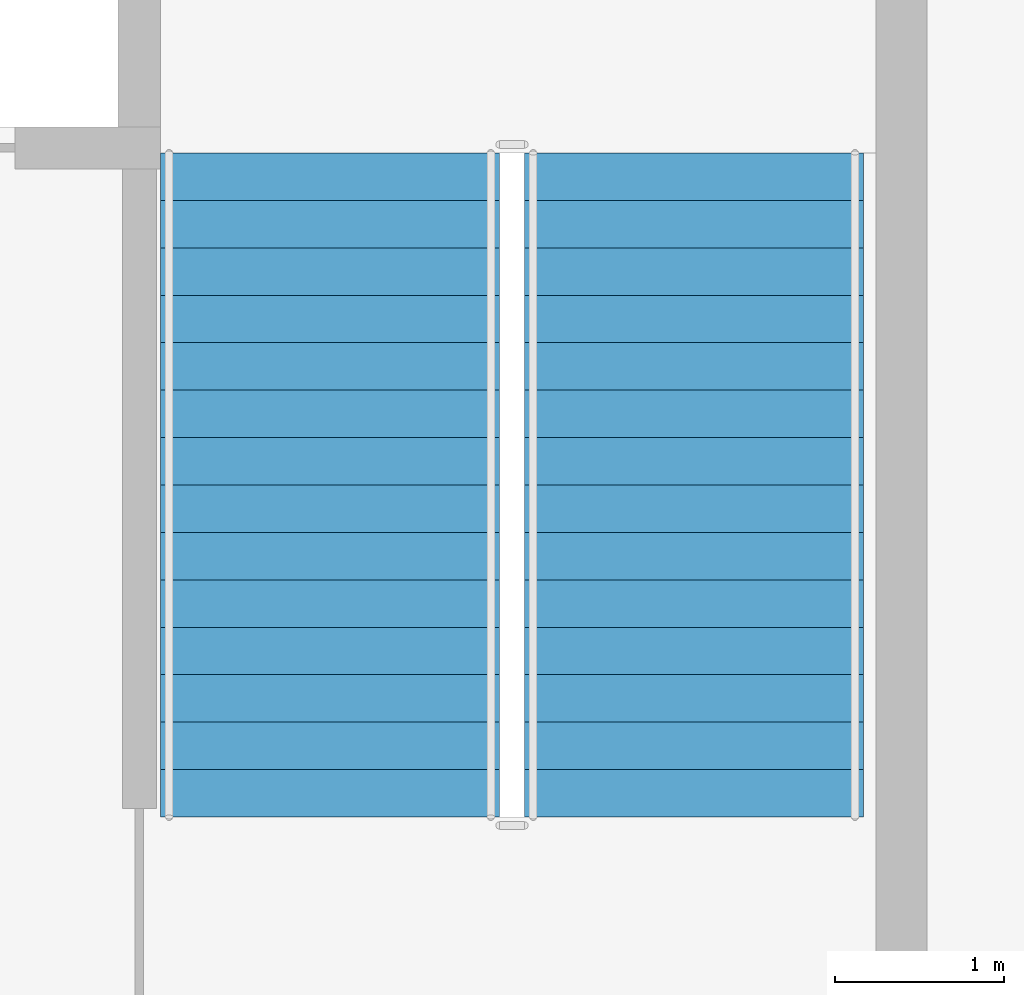
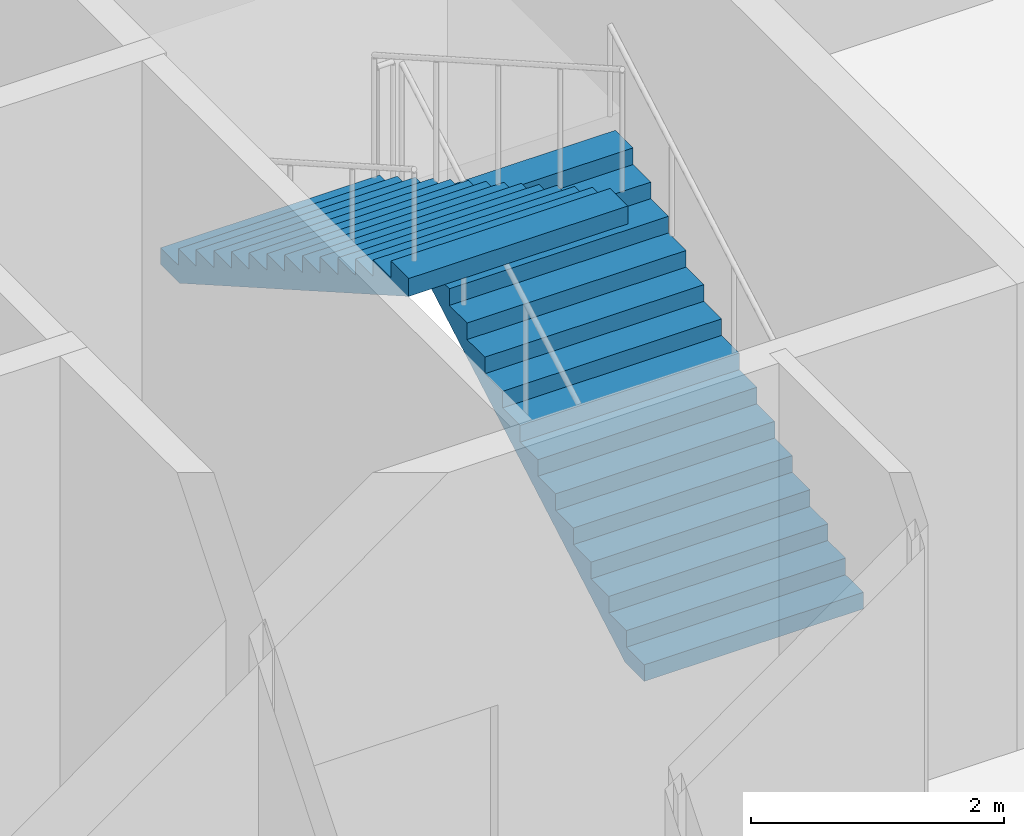
# One storey, part 6 of 10: 2 stair flights, 1 element without a shape of its own.
"""IFC4 building model written with IfcOpenShell, lengths in metres."""

from ifc_helpers import new_model, si_unit, direction, frame, origin, place, context, subcontext, project, spatial, polygons, material, type_object, element, aggregate, save


model = new_model("IFC4")

# Units and contexts
model_context = context("Model", 3, precision=1e-05, world=origin(), true_north=direction((0.0, 1.0)))
body_context = subcontext(model_context, "Body", "Model", "MODEL_VIEW")
ifc_project = project(units=[si_unit("LENGTHUNIT", "METRE"), si_unit("AREAUNIT", "SQUARE_METRE"), si_unit("VOLUMEUNIT", "CUBIC_METRE"), si_unit("PLANEANGLEUNIT", "RADIAN"), si_unit("MASSUNIT", "GRAM", prefix="KILO")], contexts=[model_context])

# Site, building, storey
site_placement = place(None, origin())
site = spatial("IfcSite", under=ifc_project, at=site_placement, CompositionType="ELEMENT")
building_placement = place(site_placement, origin())
building = spatial("IfcBuilding", under=site, at=building_placement, Name="Caravel Reach Hotel and Residences", CompositionType="ELEMENT")
storey_placement = place(building_placement, frame((0.0, 0.0, 96.0)))
storey = spatial("IfcBuildingStorey", under=building, at=storey_placement, Name="L23", CompositionType="ELEMENT", Elevation=96.0)

# Stair, stair flights
ifc_material_1 = material(Name="Concrete C40", Category="concrete")
stair_type = type_object("IfcStairType", Name="Core stair", PredefinedType="HALF_TURN_STAIR", material=ifc_material_1)
stair_placement = place(storey_placement, origin())
stair = element("IfcStair", 1, at=stair_placement, inside=storey, type_object=stair_type, Name="L23 Exit stair B", PredefinedType="HALF_TURN_STAIR")
ifc_material_2 = material(Name="Concrete C40", Category="concrete")
stair_flight_type = type_object("IfcStairFlightType", Name="Core stair flight", PredefinedType="STRAIGHT", material=ifc_material_2)
stair_flight_1_placement = place(storey_placement, frame((43.77490234375, 24.64990234375, 0.0), z_axis=(0.0, 0.0, 1.0), x_axis=(0.0, 1.0, 0.0)))
stair_flight_1 = element("IfcStairFlight", 2, at=stair_flight_1_placement, type_object=stair_flight_type, Name="ST-B flight 1", NumberOfRisers=15, NumberOfTreads=14, PredefinedType="STRAIGHT", RiserHeight=0.16, TreadLength=0.28, context=body_context, shape_type="Tessellation", body=[
    polygons([(0.30213783309663755, 1.0, 0.0), (0.30213783309663755, 0.6666666666666667, 0.0), (0.30213783309663755, 0.33333333333333337, 0.0), (0.30213783309663755, 0.0, 0.0), (0.30213783309663755, -0.33333333333333326, 0.0), (0.30213783309663755, -0.6666666666666667, 0.0), (0.30213783309663755, -1.0, 0.0), (3.9210000000000003, 1.0, 2.0673498096590643), (3.9210000000000003, 0.6666666666666667, 2.0673498096590643), (3.9210000000000003, 0.33333333333333337, 2.0673498096590643), (3.9210000000000003, 0.0, 2.0673498096590643), (3.9210000000000003, -0.33333333333333326, 2.0673498096590643), (3.9210000000000003, -0.6666666666666667, 2.0673498096590643), (3.9210000000000003, -1.0, 2.0673498096590643), (3.9210000000000003, 1.0, 2.24), (3.9210000000000003, 0.6666666666666667, 2.24), (3.9210000000000003, 0.33333333333333337, 2.24), (3.9210000000000003, 0.0, 2.24), (3.9210000000000003, -0.33333333333333326, 2.24), (3.9210000000000003, -0.6666666666666667, 2.24), (3.9210000000000003, -1.0, 2.24), (3.6400000000000006, 1.0, 2.24), (3.6400000000000006, 0.6666666666666667, 2.24), (3.6400000000000006, 0.33333333333333337, 2.24), (3.6400000000000006, 0.0, 2.24), (3.6400000000000006, -0.33333333333333326, 2.24), (3.6400000000000006, -0.6666666666666667, 2.24), (3.6400000000000006, -1.0, 2.24), (3.6400000000000006, 1.0, 2.08), (3.6400000000000006, 0.6666666666666667, 2.08), (3.6400000000000006, 0.33333333333333337, 2.08), (3.6400000000000006, 0.0, 2.08), (3.6400000000000006, -0.33333333333333326, 2.08), (3.6400000000000006, -0.6666666666666667, 2.08), (3.6400000000000006, -1.0, 2.08), (3.3600000000000003, 1.0, 2.08), (3.3600000000000003, 0.6666666666666667, 2.08), (3.3600000000000003, 0.33333333333333337, 2.08), (3.3600000000000003, 0.0, 2.08), (3.3600000000000003, -0.33333333333333326, 2.08), (3.3600000000000003, -0.6666666666666667, 2.08), (3.3600000000000003, -1.0, 2.08), (3.3600000000000003, 1.0, 1.92), (3.3600000000000003, 0.6666666666666667, 1.92), (3.3600000000000003, 0.33333333333333337, 1.92), (3.3600000000000003, 0.0, 1.92), (3.3600000000000003, -0.33333333333333326, 1.92), (3.3600000000000003, -0.6666666666666667, 1.92), (3.3600000000000003, -1.0, 1.92), (3.08, 1.0, 1.92), (3.08, 0.6666666666666667, 1.92), (3.08, 0.33333333333333337, 1.92), (3.08, 0.0, 1.92), (3.08, -0.33333333333333326, 1.92), (3.08, -0.6666666666666667, 1.92), (3.08, -1.0, 1.92), (3.08, 1.0, 1.76), (3.08, 0.6666666666666667, 1.76), (3.08, 0.33333333333333337, 1.76), (3.08, 0.0, 1.76), (3.08, -0.33333333333333326, 1.76), (3.08, -0.6666666666666667, 1.76), (3.08, -1.0, 1.76), (2.8000000000000003, 1.0, 1.76), (2.8000000000000003, 0.6666666666666667, 1.76), (2.8000000000000003, 0.33333333333333337, 1.76), (2.8000000000000003, 0.0, 1.76), (2.8000000000000003, -0.33333333333333326, 1.76), (2.8000000000000003, -0.6666666666666667, 1.76), (2.8000000000000003, -1.0, 1.76), (2.8000000000000003, 1.0, 1.6), (2.8000000000000003, 0.6666666666666667, 1.6), (2.8000000000000003, 0.33333333333333337, 1.6), (2.8000000000000003, 0.0, 1.6), (2.8000000000000003, -0.33333333333333326, 1.6), (2.8000000000000003, -0.6666666666666667, 1.6), (2.8000000000000003, -1.0, 1.6), (2.5200000000000005, 1.0, 1.6), (2.5200000000000005, 0.6666666666666667, 1.6), (2.5200000000000005, 0.33333333333333337, 1.6), (2.5200000000000005, 0.0, 1.6), (2.5200000000000005, -0.33333333333333326, 1.6), (2.5200000000000005, -0.6666666666666667, 1.6), (2.5200000000000005, -1.0, 1.6), (2.5200000000000005, 1.0, 1.44), (2.5200000000000005, 0.6666666666666667, 1.44), (2.5200000000000005, 0.33333333333333337, 1.44), (2.5200000000000005, 0.0, 1.44), (2.5200000000000005, -0.33333333333333326, 1.44), (2.5200000000000005, -0.6666666666666667, 1.44), (2.5200000000000005, -1.0, 1.44), (2.24, 1.0, 1.44), (2.24, 0.6666666666666667, 1.44), (2.24, 0.33333333333333337, 1.44), (2.24, 0.0, 1.44), (2.24, -0.33333333333333326, 1.44), (2.24, -0.6666666666666667, 1.44), (2.24, -1.0, 1.44), (2.24, 1.0, 1.28), (2.24, 0.6666666666666667, 1.28), (2.24, 0.33333333333333337, 1.28), (2.24, 0.0, 1.28), (2.24, -0.33333333333333326, 1.28), (2.24, -0.6666666666666667, 1.28), (2.24, -1.0, 1.28), (1.9600000000000002, 1.0, 1.28), (1.9600000000000002, 0.6666666666666667, 1.28), (1.9600000000000002, 0.33333333333333337, 1.28), (1.9600000000000002, 0.0, 1.28), (1.9600000000000002, -0.33333333333333326, 1.28), (1.9600000000000002, -0.6666666666666667, 1.28), (1.9600000000000002, -1.0, 1.28), (1.9600000000000002, 1.0, 1.12), (1.9600000000000002, 0.6666666666666667, 1.12), (1.9600000000000002, 0.33333333333333337, 1.12), (1.9600000000000002, 0.0, 1.12), (1.9600000000000002, -0.33333333333333326, 1.12), (1.9600000000000002, -0.6666666666666667, 1.12), (1.9600000000000002, -1.0, 1.12), (1.6800000000000002, 1.0, 1.12), (1.6800000000000002, 0.6666666666666667, 1.12), (1.6800000000000002, 0.33333333333333337, 1.12), (1.6800000000000002, 0.0, 1.12), (1.6800000000000002, -0.33333333333333326, 1.12), (1.6800000000000002, -0.6666666666666667, 1.12), (1.6800000000000002, -1.0, 1.12), (1.6800000000000002, 1.0, 0.96), (1.6800000000000002, 0.6666666666666667, 0.96), (1.6800000000000002, 0.33333333333333337, 0.96), (1.6800000000000002, 0.0, 0.96), (1.6800000000000002, -0.33333333333333326, 0.96), (1.6800000000000002, -0.6666666666666667, 0.96), (1.6800000000000002, -1.0, 0.96), (1.4000000000000001, 1.0, 0.96), (1.4000000000000001, 0.6666666666666667, 0.96), (1.4000000000000001, 0.33333333333333337, 0.96), (1.4000000000000001, 0.0, 0.96), (1.4000000000000001, -0.33333333333333326, 0.96), (1.4000000000000001, -0.6666666666666667, 0.96), (1.4000000000000001, -1.0, 0.96), (1.4000000000000001, 1.0, 0.8), (1.4000000000000001, 0.6666666666666667, 0.8), (1.4000000000000001, 0.33333333333333337, 0.8), (1.4000000000000001, 0.0, 0.8), (1.4000000000000001, -0.33333333333333326, 0.8), (1.4000000000000001, -0.6666666666666667, 0.8), (1.4000000000000001, -1.0, 0.8), (1.12, 1.0, 0.8), (1.12, 0.6666666666666667, 0.8), (1.12, 0.33333333333333337, 0.8), (1.12, 0.0, 0.8), (1.12, -0.33333333333333326, 0.8), (1.12, -0.6666666666666667, 0.8), (1.12, -1.0, 0.8), (1.12, 1.0, 0.64), (1.12, 0.6666666666666667, 0.64), (1.12, 0.33333333333333337, 0.64), (1.12, 0.0, 0.64), (1.12, -0.33333333333333326, 0.64), (1.12, -0.6666666666666667, 0.64), (1.12, -1.0, 0.64), (0.8400000000000001, 1.0, 0.64), (0.8400000000000001, 0.6666666666666667, 0.64), (0.8400000000000001, 0.33333333333333337, 0.64), (0.8400000000000001, 0.0, 0.64), (0.8400000000000001, -0.33333333333333326, 0.64), (0.8400000000000001, -0.6666666666666667, 0.64), (0.8400000000000001, -1.0, 0.64), (0.8400000000000001, 1.0, 0.48), (0.8400000000000001, 0.6666666666666667, 0.48), (0.8400000000000001, 0.33333333333333337, 0.48), (0.8400000000000001, 0.0, 0.48), (0.8400000000000001, -0.33333333333333326, 0.48), (0.8400000000000001, -0.6666666666666667, 0.48), (0.8400000000000001, -1.0, 0.48), (0.56, 1.0, 0.48), (0.56, 0.6666666666666667, 0.48), (0.56, 0.33333333333333337, 0.48), (0.56, 0.0, 0.48), (0.56, -0.33333333333333326, 0.48), (0.56, -0.6666666666666667, 0.48), (0.56, -1.0, 0.48), (0.56, 1.0, 0.32), (0.56, 0.6666666666666667, 0.32), (0.56, 0.33333333333333337, 0.32), (0.56, 0.0, 0.32), (0.56, -0.33333333333333326, 0.32), (0.56, -0.6666666666666667, 0.32), (0.56, -1.0, 0.32), (0.28, 1.0, 0.32), (0.28, 0.6666666666666667, 0.32), (0.28, 0.33333333333333337, 0.32), (0.28, 0.0, 0.32), (0.28, -0.33333333333333326, 0.32), (0.28, -0.6666666666666667, 0.32), (0.28, -1.0, 0.32), (0.28, 1.0, 0.16), (0.28, 0.6666666666666667, 0.16), (0.28, 0.33333333333333337, 0.16), (0.28, 0.0, 0.16), (0.28, -0.33333333333333326, 0.16), (0.28, -0.6666666666666667, 0.16), (0.28, -1.0, 0.16), (-0.001, 1.0, 0.16), (-0.001, 0.6666666666666667, 0.16), (-0.001, 0.33333333333333337, 0.16), (-0.001, 0.0, 0.16), (-0.001, -0.33333333333333326, 0.16), (-0.001, -0.6666666666666667, 0.16), (-0.001, -1.0, 0.16), (-0.001, 1.0, 0.0), (-0.001, 0.6666666666666667, 0.0), (-0.001, 0.33333333333333337, 0.0), (-0.001, 0.0, 0.0), (-0.001, -0.33333333333333326, 0.0), (-0.001, -0.6666666666666667, 0.0), (-0.001, -1.0, 0.0)], [[[211, 204, 197, 190, 183, 176, 169, 162, 155, 148, 141, 134, 127, 120, 113, 106, 99, 92, 85, 78, 71, 64, 57, 50, 43, 36, 29, 22, 15, 8, 1]], [[7, 14, 21, 28, 35, 42, 49, 56, 63, 70, 77, 84, 91, 98, 105, 112, 119, 126, 133, 140, 147, 154, 161, 168, 175, 182, 189, 196, 203, 210, 217]], [[1, 8, 9, 2]], [[2, 9, 10, 3]], [[3, 10, 11, 4]], [[4, 11, 12, 5]], [[5, 12, 13, 6]], [[6, 13, 14, 7]], [[8, 15, 16, 9]], [[9, 16, 17, 10]], [[10, 17, 18, 11]], [[11, 18, 19, 12]], [[12, 19, 20, 13]], [[13, 20, 21, 14]], [[15, 22, 23, 16]], [[16, 23, 24, 17]], [[17, 24, 25, 18]], [[18, 25, 26, 19]], [[19, 26, 27, 20]], [[20, 27, 28, 21]], [[22, 29, 30, 23]], [[23, 30, 31, 24]], [[24, 31, 32, 25]], [[25, 32, 33, 26]], [[26, 33, 34, 27]], [[27, 34, 35, 28]], [[29, 36, 37, 30]], [[30, 37, 38, 31]], [[31, 38, 39, 32]], [[32, 39, 40, 33]], [[33, 40, 41, 34]], [[34, 41, 42, 35]], [[36, 43, 44, 37]], [[37, 44, 45, 38]], [[38, 45, 46, 39]], [[39, 46, 47, 40]], [[40, 47, 48, 41]], [[41, 48, 49, 42]], [[43, 50, 51, 44]], [[44, 51, 52, 45]], [[45, 52, 53, 46]], [[46, 53, 54, 47]], [[47, 54, 55, 48]], [[48, 55, 56, 49]], [[50, 57, 58, 51]], [[51, 58, 59, 52]], [[52, 59, 60, 53]], [[53, 60, 61, 54]], [[54, 61, 62, 55]], [[55, 62, 63, 56]], [[57, 64, 65, 58]], [[58, 65, 66, 59]], [[59, 66, 67, 60]], [[60, 67, 68, 61]], [[61, 68, 69, 62]], [[62, 69, 70, 63]], [[64, 71, 72, 65]], [[65, 72, 73, 66]], [[66, 73, 74, 67]], [[67, 74, 75, 68]], [[68, 75, 76, 69]], [[69, 76, 77, 70]], [[71, 78, 79, 72]], [[72, 79, 80, 73]], [[73, 80, 81, 74]], [[74, 81, 82, 75]], [[75, 82, 83, 76]], [[76, 83, 84, 77]], [[78, 85, 86, 79]], [[79, 86, 87, 80]], [[80, 87, 88, 81]], [[81, 88, 89, 82]], [[82, 89, 90, 83]], [[83, 90, 91, 84]], [[85, 92, 93, 86]], [[86, 93, 94, 87]], [[87, 94, 95, 88]], [[88, 95, 96, 89]], [[89, 96, 97, 90]], [[90, 97, 98, 91]], [[92, 99, 100, 93]], [[93, 100, 101, 94]], [[94, 101, 102, 95]], [[95, 102, 103, 96]], [[96, 103, 104, 97]], [[97, 104, 105, 98]], [[99, 106, 107, 100]], [[100, 107, 108, 101]], [[101, 108, 109, 102]], [[102, 109, 110, 103]], [[103, 110, 111, 104]], [[104, 111, 112, 105]], [[106, 113, 114, 107]], [[107, 114, 115, 108]], [[108, 115, 116, 109]], [[109, 116, 117, 110]], [[110, 117, 118, 111]], [[111, 118, 119, 112]], [[113, 120, 121, 114]], [[114, 121, 122, 115]], [[115, 122, 123, 116]], [[116, 123, 124, 117]], [[117, 124, 125, 118]], [[118, 125, 126, 119]], [[120, 127, 128, 121]], [[121, 128, 129, 122]], [[122, 129, 130, 123]], [[123, 130, 131, 124]], [[124, 131, 132, 125]], [[125, 132, 133, 126]], [[127, 134, 135, 128]], [[128, 135, 136, 129]], [[129, 136, 137, 130]], [[130, 137, 138, 131]], [[131, 138, 139, 132]], [[132, 139, 140, 133]], [[134, 141, 142, 135]], [[135, 142, 143, 136]], [[136, 143, 144, 137]], [[137, 144, 145, 138]], [[138, 145, 146, 139]], [[139, 146, 147, 140]], [[141, 148, 149, 142]], [[142, 149, 150, 143]], [[143, 150, 151, 144]], [[144, 151, 152, 145]], [[145, 152, 153, 146]], [[146, 153, 154, 147]], [[148, 155, 156, 149]], [[149, 156, 157, 150]], [[150, 157, 158, 151]], [[151, 158, 159, 152]], [[152, 159, 160, 153]], [[153, 160, 161, 154]], [[155, 162, 163, 156]], [[156, 163, 164, 157]], [[157, 164, 165, 158]], [[158, 165, 166, 159]], [[159, 166, 167, 160]], [[160, 167, 168, 161]], [[162, 169, 170, 163]], [[163, 170, 171, 164]], [[164, 171, 172, 165]], [[165, 172, 173, 166]], [[166, 173, 174, 167]], [[167, 174, 175, 168]], [[169, 176, 177, 170]], [[170, 177, 178, 171]], [[171, 178, 179, 172]], [[172, 179, 180, 173]], [[173, 180, 181, 174]], [[174, 181, 182, 175]], [[176, 183, 184, 177]], [[177, 184, 185, 178]], [[178, 185, 186, 179]], [[179, 186, 187, 180]], [[180, 187, 188, 181]], [[181, 188, 189, 182]], [[183, 190, 191, 184]], [[184, 191, 192, 185]], [[185, 192, 193, 186]], [[186, 193, 194, 187]], [[187, 194, 195, 188]], [[188, 195, 196, 189]], [[190, 197, 198, 191]], [[191, 198, 199, 192]], [[192, 199, 200, 193]], [[193, 200, 201, 194]], [[194, 201, 202, 195]], [[195, 202, 203, 196]], [[197, 204, 205, 198]], [[198, 205, 206, 199]], [[199, 206, 207, 200]], [[200, 207, 208, 201]], [[201, 208, 209, 202]], [[202, 209, 210, 203]], [[204, 211, 212, 205]], [[205, 212, 213, 206]], [[206, 213, 214, 207]], [[207, 214, 215, 208]], [[208, 215, 216, 209]], [[209, 216, 217, 210]], [[211, 1, 2, 212]], [[212, 2, 3, 213]], [[213, 3, 4, 214]], [[214, 4, 5, 215]], [[215, 5, 6, 216]], [[216, 6, 7, 217]]], closed=True),
])
stair_flight_2_placement = place(storey_placement, frame((41.625, 28.570068359375, 2.39990234375), z_axis=(0.0, 0.0, 1.0), x_axis=(0.0, -1.0, 0.0)))
stair_flight_2 = element("IfcStairFlight", 3, at=stair_flight_2_placement, type_object=stair_flight_type, Name="ST-B flight 2", NumberOfRisers=15, NumberOfTreads=14, PredefinedType="STRAIGHT", RiserHeight=0.16, TreadLength=0.28, context=body_context, shape_type="Tessellation", body=[
    polygons([(0.30213783309663755, 1.0, 0.0), (0.30213783309663755, 0.6666666666666667, 0.0), (0.30213783309663755, 0.33333333333333337, 0.0), (0.30213783309663755, 0.0, 0.0), (0.30213783309663755, -0.33333333333333326, 0.0), (0.30213783309663755, -0.6666666666666667, 0.0), (0.30213783309663755, -1.0, 0.0), (3.9210000000000003, 1.0, 2.0673498096590643), (3.9210000000000003, 0.6666666666666667, 2.0673498096590643), (3.9210000000000003, 0.33333333333333337, 2.0673498096590643), (3.9210000000000003, 0.0, 2.0673498096590643), (3.9210000000000003, -0.33333333333333326, 2.0673498096590643), (3.9210000000000003, -0.6666666666666667, 2.0673498096590643), (3.9210000000000003, -1.0, 2.0673498096590643), (3.9210000000000003, 1.0, 2.24), (3.9210000000000003, 0.6666666666666667, 2.24), (3.9210000000000003, 0.33333333333333337, 2.24), (3.9210000000000003, 0.0, 2.24), (3.9210000000000003, -0.33333333333333326, 2.24), (3.9210000000000003, -0.6666666666666667, 2.24), (3.9210000000000003, -1.0, 2.24), (3.6400000000000006, 1.0, 2.24), (3.6400000000000006, 0.6666666666666667, 2.24), (3.6400000000000006, 0.33333333333333337, 2.24), (3.6400000000000006, 0.0, 2.24), (3.6400000000000006, -0.33333333333333326, 2.24), (3.6400000000000006, -0.6666666666666667, 2.24), (3.6400000000000006, -1.0, 2.24), (3.6400000000000006, 1.0, 2.08), (3.6400000000000006, 0.6666666666666667, 2.08), (3.6400000000000006, 0.33333333333333337, 2.08), (3.6400000000000006, 0.0, 2.08), (3.6400000000000006, -0.33333333333333326, 2.08), (3.6400000000000006, -0.6666666666666667, 2.08), (3.6400000000000006, -1.0, 2.08), (3.3600000000000003, 1.0, 2.08), (3.3600000000000003, 0.6666666666666667, 2.08), (3.3600000000000003, 0.33333333333333337, 2.08), (3.3600000000000003, 0.0, 2.08), (3.3600000000000003, -0.33333333333333326, 2.08), (3.3600000000000003, -0.6666666666666667, 2.08), (3.3600000000000003, -1.0, 2.08), (3.3600000000000003, 1.0, 1.92), (3.3600000000000003, 0.6666666666666667, 1.92), (3.3600000000000003, 0.33333333333333337, 1.92), (3.3600000000000003, 0.0, 1.92), (3.3600000000000003, -0.33333333333333326, 1.92), (3.3600000000000003, -0.6666666666666667, 1.92), (3.3600000000000003, -1.0, 1.92), (3.08, 1.0, 1.92), (3.08, 0.6666666666666667, 1.92), (3.08, 0.33333333333333337, 1.92), (3.08, 0.0, 1.92), (3.08, -0.33333333333333326, 1.92), (3.08, -0.6666666666666667, 1.92), (3.08, -1.0, 1.92), (3.08, 1.0, 1.76), (3.08, 0.6666666666666667, 1.76), (3.08, 0.33333333333333337, 1.76), (3.08, 0.0, 1.76), (3.08, -0.33333333333333326, 1.76), (3.08, -0.6666666666666667, 1.76), (3.08, -1.0, 1.76), (2.8000000000000003, 1.0, 1.76), (2.8000000000000003, 0.6666666666666667, 1.76), (2.8000000000000003, 0.33333333333333337, 1.76), (2.8000000000000003, 0.0, 1.76), (2.8000000000000003, -0.33333333333333326, 1.76), (2.8000000000000003, -0.6666666666666667, 1.76), (2.8000000000000003, -1.0, 1.76), (2.8000000000000003, 1.0, 1.6), (2.8000000000000003, 0.6666666666666667, 1.6), (2.8000000000000003, 0.33333333333333337, 1.6), (2.8000000000000003, 0.0, 1.6), (2.8000000000000003, -0.33333333333333326, 1.6), (2.8000000000000003, -0.6666666666666667, 1.6), (2.8000000000000003, -1.0, 1.6), (2.5200000000000005, 1.0, 1.6), (2.5200000000000005, 0.6666666666666667, 1.6), (2.5200000000000005, 0.33333333333333337, 1.6), (2.5200000000000005, 0.0, 1.6), (2.5200000000000005, -0.33333333333333326, 1.6), (2.5200000000000005, -0.6666666666666667, 1.6), (2.5200000000000005, -1.0, 1.6), (2.5200000000000005, 1.0, 1.44), (2.5200000000000005, 0.6666666666666667, 1.44), (2.5200000000000005, 0.33333333333333337, 1.44), (2.5200000000000005, 0.0, 1.44), (2.5200000000000005, -0.33333333333333326, 1.44), (2.5200000000000005, -0.6666666666666667, 1.44), (2.5200000000000005, -1.0, 1.44), (2.24, 1.0, 1.44), (2.24, 0.6666666666666667, 1.44), (2.24, 0.33333333333333337, 1.44), (2.24, 0.0, 1.44), (2.24, -0.33333333333333326, 1.44), (2.24, -0.6666666666666667, 1.44), (2.24, -1.0, 1.44), (2.24, 1.0, 1.28), (2.24, 0.6666666666666667, 1.28), (2.24, 0.33333333333333337, 1.28), (2.24, 0.0, 1.28), (2.24, -0.33333333333333326, 1.28), (2.24, -0.6666666666666667, 1.28), (2.24, -1.0, 1.28), (1.9600000000000002, 1.0, 1.28), (1.9600000000000002, 0.6666666666666667, 1.28), (1.9600000000000002, 0.33333333333333337, 1.28), (1.9600000000000002, 0.0, 1.28), (1.9600000000000002, -0.33333333333333326, 1.28), (1.9600000000000002, -0.6666666666666667, 1.28), (1.9600000000000002, -1.0, 1.28), (1.9600000000000002, 1.0, 1.12), (1.9600000000000002, 0.6666666666666667, 1.12), (1.9600000000000002, 0.33333333333333337, 1.12), (1.9600000000000002, 0.0, 1.12), (1.9600000000000002, -0.33333333333333326, 1.12), (1.9600000000000002, -0.6666666666666667, 1.12), (1.9600000000000002, -1.0, 1.12), (1.6800000000000002, 1.0, 1.12), (1.6800000000000002, 0.6666666666666667, 1.12), (1.6800000000000002, 0.33333333333333337, 1.12), (1.6800000000000002, 0.0, 1.12), (1.6800000000000002, -0.33333333333333326, 1.12), (1.6800000000000002, -0.6666666666666667, 1.12), (1.6800000000000002, -1.0, 1.12), (1.6800000000000002, 1.0, 0.96), (1.6800000000000002, 0.6666666666666667, 0.96), (1.6800000000000002, 0.33333333333333337, 0.96), (1.6800000000000002, 0.0, 0.96), (1.6800000000000002, -0.33333333333333326, 0.96), (1.6800000000000002, -0.6666666666666667, 0.96), (1.6800000000000002, -1.0, 0.96), (1.4000000000000001, 1.0, 0.96), (1.4000000000000001, 0.6666666666666667, 0.96), (1.4000000000000001, 0.33333333333333337, 0.96), (1.4000000000000001, 0.0, 0.96), (1.4000000000000001, -0.33333333333333326, 0.96), (1.4000000000000001, -0.6666666666666667, 0.96), (1.4000000000000001, -1.0, 0.96), (1.4000000000000001, 1.0, 0.8), (1.4000000000000001, 0.6666666666666667, 0.8), (1.4000000000000001, 0.33333333333333337, 0.8), (1.4000000000000001, 0.0, 0.8), (1.4000000000000001, -0.33333333333333326, 0.8), (1.4000000000000001, -0.6666666666666667, 0.8), (1.4000000000000001, -1.0, 0.8), (1.12, 1.0, 0.8), (1.12, 0.6666666666666667, 0.8), (1.12, 0.33333333333333337, 0.8), (1.12, 0.0, 0.8), (1.12, -0.33333333333333326, 0.8), (1.12, -0.6666666666666667, 0.8), (1.12, -1.0, 0.8), (1.12, 1.0, 0.64), (1.12, 0.6666666666666667, 0.64), (1.12, 0.33333333333333337, 0.64), (1.12, 0.0, 0.64), (1.12, -0.33333333333333326, 0.64), (1.12, -0.6666666666666667, 0.64), (1.12, -1.0, 0.64), (0.8400000000000001, 1.0, 0.64), (0.8400000000000001, 0.6666666666666667, 0.64), (0.8400000000000001, 0.33333333333333337, 0.64), (0.8400000000000001, 0.0, 0.64), (0.8400000000000001, -0.33333333333333326, 0.64), (0.8400000000000001, -0.6666666666666667, 0.64), (0.8400000000000001, -1.0, 0.64), (0.8400000000000001, 1.0, 0.48), (0.8400000000000001, 0.6666666666666667, 0.48), (0.8400000000000001, 0.33333333333333337, 0.48), (0.8400000000000001, 0.0, 0.48), (0.8400000000000001, -0.33333333333333326, 0.48), (0.8400000000000001, -0.6666666666666667, 0.48), (0.8400000000000001, -1.0, 0.48), (0.56, 1.0, 0.48), (0.56, 0.6666666666666667, 0.48), (0.56, 0.33333333333333337, 0.48), (0.56, 0.0, 0.48), (0.56, -0.33333333333333326, 0.48), (0.56, -0.6666666666666667, 0.48), (0.56, -1.0, 0.48), (0.56, 1.0, 0.32), (0.56, 0.6666666666666667, 0.32), (0.56, 0.33333333333333337, 0.32), (0.56, 0.0, 0.32), (0.56, -0.33333333333333326, 0.32), (0.56, -0.6666666666666667, 0.32), (0.56, -1.0, 0.32), (0.28, 1.0, 0.32), (0.28, 0.6666666666666667, 0.32), (0.28, 0.33333333333333337, 0.32), (0.28, 0.0, 0.32), (0.28, -0.33333333333333326, 0.32), (0.28, -0.6666666666666667, 0.32), (0.28, -1.0, 0.32), (0.28, 1.0, 0.16), (0.28, 0.6666666666666667, 0.16), (0.28, 0.33333333333333337, 0.16), (0.28, 0.0, 0.16), (0.28, -0.33333333333333326, 0.16), (0.28, -0.6666666666666667, 0.16), (0.28, -1.0, 0.16), (-0.001, 1.0, 0.16), (-0.001, 0.6666666666666667, 0.16), (-0.001, 0.33333333333333337, 0.16), (-0.001, 0.0, 0.16), (-0.001, -0.33333333333333326, 0.16), (-0.001, -0.6666666666666667, 0.16), (-0.001, -1.0, 0.16), (-0.001, 1.0, 0.0), (-0.001, 0.6666666666666667, 0.0), (-0.001, 0.33333333333333337, 0.0), (-0.001, 0.0, 0.0), (-0.001, -0.33333333333333326, 0.0), (-0.001, -0.6666666666666667, 0.0), (-0.001, -1.0, 0.0)], [[[211, 204, 197, 190, 183, 176, 169, 162, 155, 148, 141, 134, 127, 120, 113, 106, 99, 92, 85, 78, 71, 64, 57, 50, 43, 36, 29, 22, 15, 8, 1]], [[7, 14, 21, 28, 35, 42, 49, 56, 63, 70, 77, 84, 91, 98, 105, 112, 119, 126, 133, 140, 147, 154, 161, 168, 175, 182, 189, 196, 203, 210, 217]], [[1, 8, 9, 2]], [[2, 9, 10, 3]], [[3, 10, 11, 4]], [[4, 11, 12, 5]], [[5, 12, 13, 6]], [[6, 13, 14, 7]], [[8, 15, 16, 9]], [[9, 16, 17, 10]], [[10, 17, 18, 11]], [[11, 18, 19, 12]], [[12, 19, 20, 13]], [[13, 20, 21, 14]], [[15, 22, 23, 16]], [[16, 23, 24, 17]], [[17, 24, 25, 18]], [[18, 25, 26, 19]], [[19, 26, 27, 20]], [[20, 27, 28, 21]], [[22, 29, 30, 23]], [[23, 30, 31, 24]], [[24, 31, 32, 25]], [[25, 32, 33, 26]], [[26, 33, 34, 27]], [[27, 34, 35, 28]], [[29, 36, 37, 30]], [[30, 37, 38, 31]], [[31, 38, 39, 32]], [[32, 39, 40, 33]], [[33, 40, 41, 34]], [[34, 41, 42, 35]], [[36, 43, 44, 37]], [[37, 44, 45, 38]], [[38, 45, 46, 39]], [[39, 46, 47, 40]], [[40, 47, 48, 41]], [[41, 48, 49, 42]], [[43, 50, 51, 44]], [[44, 51, 52, 45]], [[45, 52, 53, 46]], [[46, 53, 54, 47]], [[47, 54, 55, 48]], [[48, 55, 56, 49]], [[50, 57, 58, 51]], [[51, 58, 59, 52]], [[52, 59, 60, 53]], [[53, 60, 61, 54]], [[54, 61, 62, 55]], [[55, 62, 63, 56]], [[57, 64, 65, 58]], [[58, 65, 66, 59]], [[59, 66, 67, 60]], [[60, 67, 68, 61]], [[61, 68, 69, 62]], [[62, 69, 70, 63]], [[64, 71, 72, 65]], [[65, 72, 73, 66]], [[66, 73, 74, 67]], [[67, 74, 75, 68]], [[68, 75, 76, 69]], [[69, 76, 77, 70]], [[71, 78, 79, 72]], [[72, 79, 80, 73]], [[73, 80, 81, 74]], [[74, 81, 82, 75]], [[75, 82, 83, 76]], [[76, 83, 84, 77]], [[78, 85, 86, 79]], [[79, 86, 87, 80]], [[80, 87, 88, 81]], [[81, 88, 89, 82]], [[82, 89, 90, 83]], [[83, 90, 91, 84]], [[85, 92, 93, 86]], [[86, 93, 94, 87]], [[87, 94, 95, 88]], [[88, 95, 96, 89]], [[89, 96, 97, 90]], [[90, 97, 98, 91]], [[92, 99, 100, 93]], [[93, 100, 101, 94]], [[94, 101, 102, 95]], [[95, 102, 103, 96]], [[96, 103, 104, 97]], [[97, 104, 105, 98]], [[99, 106, 107, 100]], [[100, 107, 108, 101]], [[101, 108, 109, 102]], [[102, 109, 110, 103]], [[103, 110, 111, 104]], [[104, 111, 112, 105]], [[106, 113, 114, 107]], [[107, 114, 115, 108]], [[108, 115, 116, 109]], [[109, 116, 117, 110]], [[110, 117, 118, 111]], [[111, 118, 119, 112]], [[113, 120, 121, 114]], [[114, 121, 122, 115]], [[115, 122, 123, 116]], [[116, 123, 124, 117]], [[117, 124, 125, 118]], [[118, 125, 126, 119]], [[120, 127, 128, 121]], [[121, 128, 129, 122]], [[122, 129, 130, 123]], [[123, 130, 131, 124]], [[124, 131, 132, 125]], [[125, 132, 133, 126]], [[127, 134, 135, 128]], [[128, 135, 136, 129]], [[129, 136, 137, 130]], [[130, 137, 138, 131]], [[131, 138, 139, 132]], [[132, 139, 140, 133]], [[134, 141, 142, 135]], [[135, 142, 143, 136]], [[136, 143, 144, 137]], [[137, 144, 145, 138]], [[138, 145, 146, 139]], [[139, 146, 147, 140]], [[141, 148, 149, 142]], [[142, 149, 150, 143]], [[143, 150, 151, 144]], [[144, 151, 152, 145]], [[145, 152, 153, 146]], [[146, 153, 154, 147]], [[148, 155, 156, 149]], [[149, 156, 157, 150]], [[150, 157, 158, 151]], [[151, 158, 159, 152]], [[152, 159, 160, 153]], [[153, 160, 161, 154]], [[155, 162, 163, 156]], [[156, 163, 164, 157]], [[157, 164, 165, 158]], [[158, 165, 166, 159]], [[159, 166, 167, 160]], [[160, 167, 168, 161]], [[162, 169, 170, 163]], [[163, 170, 171, 164]], [[164, 171, 172, 165]], [[165, 172, 173, 166]], [[166, 173, 174, 167]], [[167, 174, 175, 168]], [[169, 176, 177, 170]], [[170, 177, 178, 171]], [[171, 178, 179, 172]], [[172, 179, 180, 173]], [[173, 180, 181, 174]], [[174, 181, 182, 175]], [[176, 183, 184, 177]], [[177, 184, 185, 178]], [[178, 185, 186, 179]], [[179, 186, 187, 180]], [[180, 187, 188, 181]], [[181, 188, 189, 182]], [[183, 190, 191, 184]], [[184, 191, 192, 185]], [[185, 192, 193, 186]], [[186, 193, 194, 187]], [[187, 194, 195, 188]], [[188, 195, 196, 189]], [[190, 197, 198, 191]], [[191, 198, 199, 192]], [[192, 199, 200, 193]], [[193, 200, 201, 194]], [[194, 201, 202, 195]], [[195, 202, 203, 196]], [[197, 204, 205, 198]], [[198, 205, 206, 199]], [[199, 206, 207, 200]], [[200, 207, 208, 201]], [[201, 208, 209, 202]], [[202, 209, 210, 203]], [[204, 211, 212, 205]], [[205, 212, 213, 206]], [[206, 213, 214, 207]], [[207, 214, 215, 208]], [[208, 215, 216, 209]], [[209, 216, 217, 210]], [[211, 1, 2, 212]], [[212, 2, 3, 213]], [[213, 3, 4, 214]], [[214, 4, 5, 215]], [[215, 5, 6, 216]], [[216, 6, 7, 217]]], closed=True),
])
aggregate(stair, [stair_flight_1, stair_flight_2])

save(model, "model.ifc")
